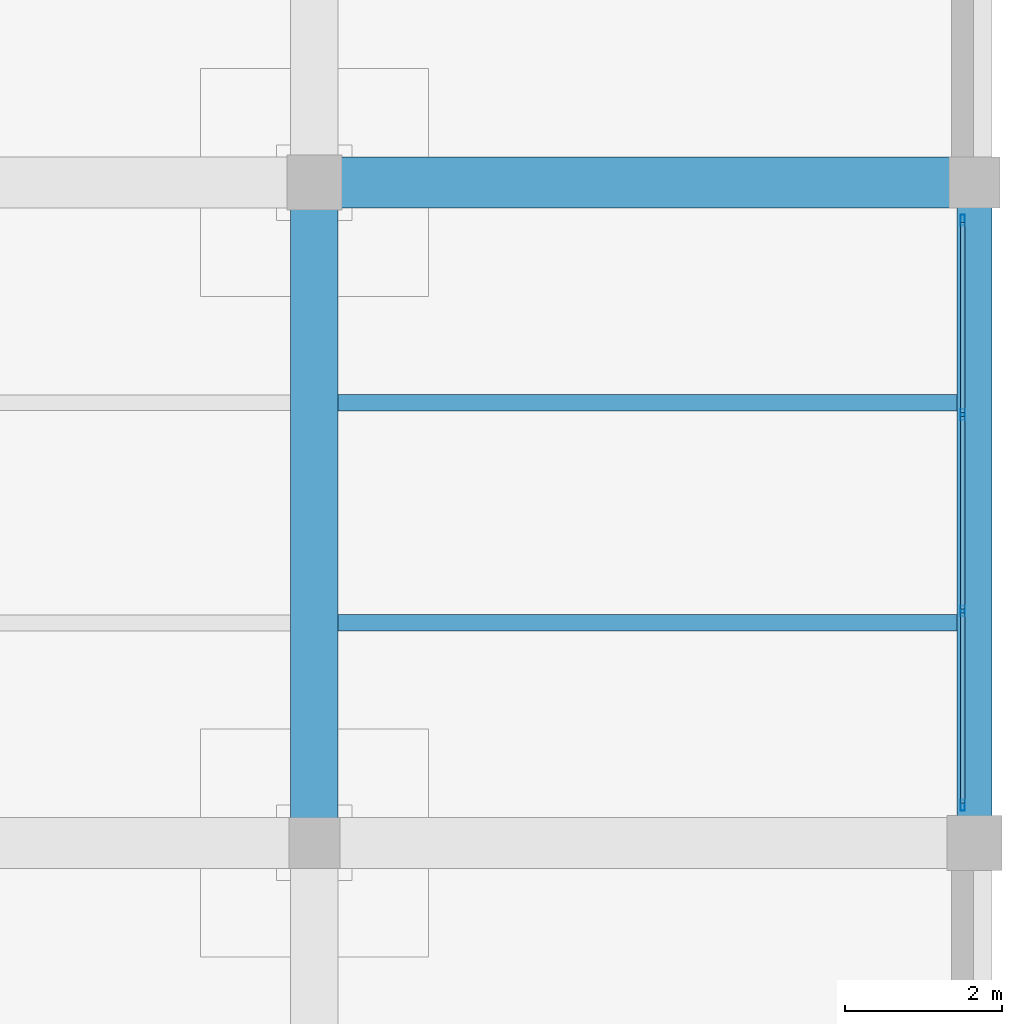
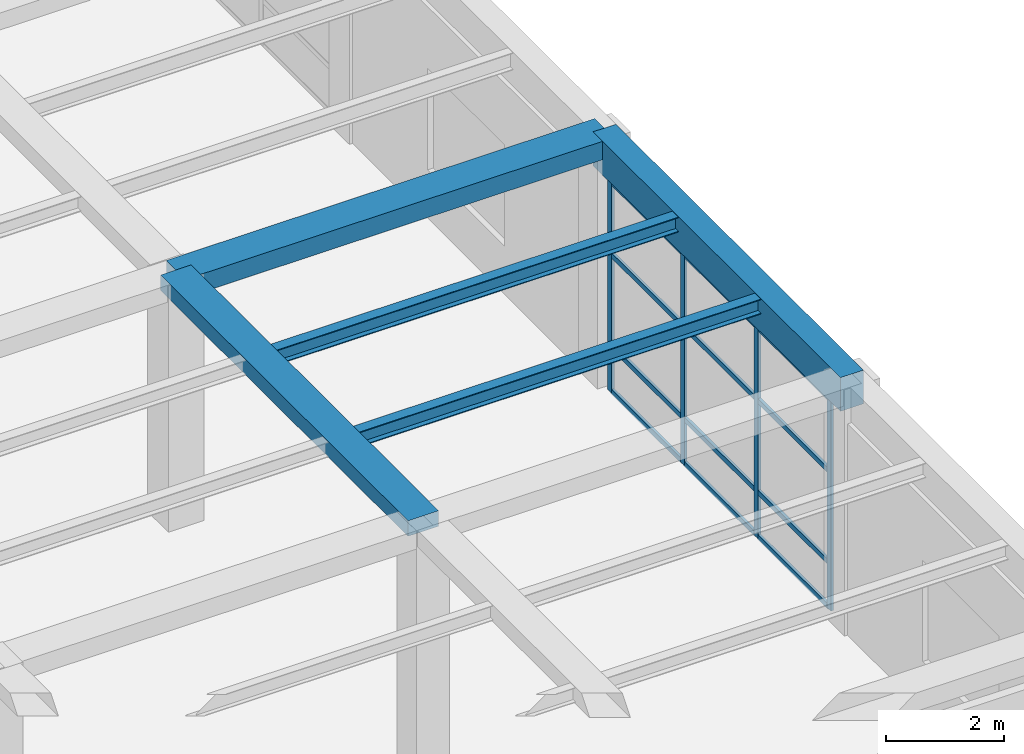
# One storey, part 32 of 65: 16 members, 5 beams, 1 element without a shape of its own.
"""IFC4 building model written with IfcOpenShell, lengths in metres."""

from ifc_helpers import new_model, si_unit, direction, frame, origin, origin_2d, place, context, subcontext, project, spatial, rectangle, hollow_rectangle, i_section, extrude, material, material_profile, profile_set, type_object, element, aggregate, save


model = new_model("IFC4")

# Units and contexts
model_context = context("Model", 3, precision=1e-05, world=origin(), true_north=direction((0.0, 1.0)))
body_context = subcontext(model_context, "Body", "Model", "MODEL_VIEW")
ifc_project = project(units=[si_unit("LENGTHUNIT", "METRE"), si_unit("AREAUNIT", "SQUARE_METRE"), si_unit("VOLUMEUNIT", "CUBIC_METRE"), si_unit("PLANEANGLEUNIT", "RADIAN"), si_unit("MASSUNIT", "GRAM", prefix="KILO")], contexts=[model_context])

# Site, building, storey
site_placement = place(None, origin())
site = spatial("IfcSite", under=ifc_project, at=site_placement, CompositionType="ELEMENT")
building_placement = place(site_placement, origin())
building = spatial("IfcBuilding", under=site, at=building_placement, Name="Almacenes y Pasaje Nevantli", CompositionType="ELEMENT")
storey_placement = place(building_placement, frame((0.0, 0.0, 16.800048828125)))
storey = spatial("IfcBuildingStorey", under=building, at=storey_placement, Name="L04", CompositionType="ELEMENT", Elevation=16.800048828125)

# Beams
ifc_material_1 = material(Name="Concrete C35/45", Category="concrete")
ifc_material_profile_1 = material_profile(ifc_material_1, rectangle(XDim=0.449951171875, YDim=0.699951171875, at=origin_2d()), Name="RC-BM-450x700")
ifc_profile_set_1 = profile_set([ifc_material_profile_1], Name="Concrete C35/45")
beam_type_1 = type_object("IfcBeamType", Name="BM-RC-450x700", PredefinedType="SPANDREL", material=ifc_profile_set_1)
beam_1_placement = place(storey_placement, frame((168.0, 50.39990234375, 4.75), z_axis=(0.0, 1.0, 0.0), x_axis=(-1.0, 0.0, 0.0)))
element("IfcBeam", 1, at=beam_1_placement, inside=storey, type_object=beam_type_1, Name="L04 North-South Reinforced Concrete Beam #3221", PredefinedType="SPANDREL", context=body_context, shape_type="SweptSolid", body=[
    extrude(rectangle(XDim=0.449951171875, YDim=0.699951171875, at=origin_2d()), origin(), (0.0, 0.0, 1.0), 8.400146484375),
])
ifc_material_2 = material(Name="Concrete C35/45", Category="concrete")
ifc_material_profile_2 = material_profile(ifc_material_2, rectangle(XDim=0.60009765625, YDim=0.320068359375, at=origin_2d()), Name="RC-BM-600x320")
ifc_profile_set_2 = profile_set([ifc_material_profile_2], Name="Concrete C35/45")
beam_type_2 = type_object("IfcBeamType", Name="BM-RC-600x320", PredefinedType="BEAM", material=ifc_profile_set_2)
beam_2_placement = place(storey_placement, frame((159.60009765625, 50.39990234375, 4.93994140625), z_axis=(0.0, 1.0, 0.0), x_axis=(-1.0, 0.0, 0.0)))
element("IfcBeam", 2, at=beam_2_placement, inside=storey, type_object=beam_type_2, Name="L04 North-South Reinforced Concrete Beam #3207", PredefinedType="BEAM", context=body_context, shape_type="SweptSolid", body=[
    extrude(rectangle(XDim=0.60009765625, YDim=0.320068359375, at=origin_2d()), origin(), (0.0, 0.0, 1.0), 8.400146484375),
])
ifc_material_3 = material(Name="Concrete C35/45", Category="concrete")
ifc_material_profile_3 = material_profile(ifc_material_3, rectangle(XDim=0.64990234375, YDim=0.3798828125, at=origin_2d()), Name="RC-BM-650x380")
ifc_profile_set_3 = profile_set([ifc_material_profile_3], Name="Concrete C35/45")
beam_type_3 = type_object("IfcBeamType", Name="BM-RC-650x380", PredefinedType="BEAM", material=ifc_profile_set_3)
beam_3_placement = place(storey_placement, frame((159.60009765625, 58.800048828125, 4.909912109375), z_axis=(1.0, 0.0, 0.0), x_axis=(0.0, 1.0, 0.0)))
element("IfcBeam", 3, at=beam_3_placement, inside=storey, type_object=beam_type_3, Name="L04 East-West Reinforced Concrete Beam #2873", PredefinedType="BEAM", context=body_context, shape_type="SweptSolid", body=[
    extrude(rectangle(XDim=0.64990234375, YDim=0.3798828125, at=origin_2d()), origin(), (0.0, 0.0, 1.0), 8.39990234375),
])
ifc_material_4 = material(Name="Steel ASTM A992", Category="steel")
ifc_material_profile_4 = material_profile(ifc_material_4, i_section(OverallWidth=0.205078125, OverallDepth=0.31005859375, WebThickness=0.009521484375, FlangeThickness=0.016357421875, at=origin_2d()), Name="IR 305x74.4")
ifc_profile_set_4 = profile_set([ifc_material_profile_4], Name="Steel ASTM A992")
beam_type_4 = type_object("IfcBeamType", Name="BM-STL-IR-305x74p4", PredefinedType="JOIST", material=ifc_profile_set_4)
for number, where, z_axis, x_axis, name in (
    (4, (159.89990234375, 53.199951171875, 4.93701171875), (1.0, 0.0, 0.0), (0.0, 1.0, 0.0), "L04 Secondary Steel Floor Joist #1337"),
    (5, (159.89990234375, 56.0, 4.93701171875), (1.0, 0.0, 0.0), (0.0, 1.0, 0.0), "L04 Secondary Steel Floor Joist #1338"),
):
    element("IfcBeam", number, at=place(storey_placement, frame(where, z_axis=z_axis, x_axis=x_axis)), inside=storey, type_object=beam_type_4, Name=name, PredefinedType="JOIST", context=body_context, shape_type="SweptSolid", body=[
        extrude(i_section(OverallWidth=0.205078125, OverallDepth=0.31005859375, WebThickness=0.009521484375, FlangeThickness=0.016357421875, at=origin_2d()), origin(), (0.0, 0.0, 1.0), 7.875),
    ])

# Curtain wall, members
ifc_material_5 = material(Name="Thermally Broken Aluminium and Low-E Glass", Category="aluminium")
curtain_wall_type = type_object("IfcCurtainWallType", Name="CW-UNIT-PODIUM", PredefinedType="USERDEFINED", material=ifc_material_5)
curtain_wall_placement = place(storey_placement, origin())
curtain_wall = element("IfcCurtainWall", 6, at=curtain_wall_placement, inside=storey, type_object=curtain_wall_type, Name="L04 East Office Wing Curtain Wall Bay 7", ObjectType="UNITIZED CURTAIN WALL", PredefinedType="USERDEFINED")
ifc_material_6 = material(Name="Thermally Broken Anodized Aluminium", Category="aluminium")
ifc_material_profile_5 = material_profile(ifc_material_6, hollow_rectangle(XDim=0.054931640625, YDim=0.139892578125, WallThickness=0.00341796875, at=origin_2d()), Name="ALU-MUL-55x140")
ifc_profile_set_5 = profile_set([ifc_material_profile_5], Name="Thermally Broken Anodized Aluminium")
member_type_1 = type_object("IfcMemberType", Name="CW-MUL-160", PredefinedType="MULLION", material=ifc_profile_set_5)
member_1_placement = place(storey_placement, frame((167.85009765625, 50.87744140625, 0.0), z_axis=(0.0, 0.0, 1.0), x_axis=(-1.0, 0.0, 0.0)))
member_1 = element("IfcMember", 7, at=member_1_placement, type_object=member_type_1, Name="CW-L04-079 mullion 1", PredefinedType="MULLION", context=body_context, shape_type="SweptSolid", body=[
    extrude(hollow_rectangle(XDim=0.054931640625, YDim=0.139892578125, WallThickness=0.00341796875, at=origin_2d()), origin(), (0.0, 0.0, 1.0), 4.3798828125),
])
member_2_placement = place(storey_placement, frame((167.85009765625, 53.35009765625, 0.0), z_axis=(0.0, 0.0, 1.0), x_axis=(-1.0, 0.0, 0.0)))
member_2 = element("IfcMember", 8, at=member_2_placement, type_object=member_type_1, Name="CW-L04-079 mullion 2", PredefinedType="MULLION", context=body_context, shape_type="SweptSolid", body=[
    extrude(hollow_rectangle(XDim=0.054931640625, YDim=0.139892578125, WallThickness=0.00341796875, at=origin_2d()), origin(), (0.0, 0.0, 1.0), 4.3798828125),
])
member_3_placement = place(storey_placement, frame((167.85009765625, 55.85009765625, 0.0), z_axis=(0.0, 0.0, 1.0), x_axis=(-1.0, 0.0, 0.0)))
member_3 = element("IfcMember", 9, at=member_3_placement, type_object=member_type_1, Name="CW-L04-079 mullion 3", PredefinedType="MULLION", context=body_context, shape_type="SweptSolid", body=[
    extrude(hollow_rectangle(XDim=0.054931640625, YDim=0.139892578125, WallThickness=0.00341796875, at=origin_2d()), origin(), (0.0, 0.0, 1.0), 4.3798828125),
])
member_4_placement = place(storey_placement, frame((167.85009765625, 58.322509765625, 0.0), z_axis=(0.0, 0.0, 1.0), x_axis=(-1.0, 0.0, 0.0)))
member_4 = element("IfcMember", 10, at=member_4_placement, type_object=member_type_1, Name="CW-L04-079 mullion 4", PredefinedType="MULLION", context=body_context, shape_type="SweptSolid", body=[
    extrude(hollow_rectangle(XDim=0.054931640625, YDim=0.139892578125, WallThickness=0.00341796875, at=origin_2d()), origin(), (0.0, 0.0, 1.0), 4.3798828125),
])
ifc_material_7 = material(Name="Thermally Broken Anodized Aluminium", Category="aluminium")
ifc_material_profile_6 = material_profile(ifc_material_7, hollow_rectangle(XDim=0.054931640625, YDim=0.10498046875, WallThickness=0.003173828125, at=origin_2d()), Name="ALU-TRN-55x105")
ifc_profile_set_6 = profile_set([ifc_material_profile_6], Name="Thermally Broken Anodized Aluminium")
member_type_2 = type_object("IfcMemberType", Name="CW-TRN-120", PredefinedType="USERDEFINED", material=ifc_profile_set_6)
member_5_placement = place(storey_placement, frame((167.85009765625, 50.905029296875, 0.02734375), z_axis=(0.0, 1.0, 0.0), x_axis=(-1.0, 0.0, 0.0)))
member_5 = element("IfcMember", 11, at=member_5_placement, type_object=member_type_2, Name="CW-L04-079 transom 1.1", ObjectType="TRANSOM", PredefinedType="USERDEFINED", context=body_context, shape_type="SweptSolid", body=[
    extrude(hollow_rectangle(XDim=0.054931640625, YDim=0.10498046875, WallThickness=0.003173828125, at=origin_2d()), origin(), (0.0, 0.0, 1.0), 2.41748046875),
])
member_6_placement = place(storey_placement, frame((167.85009765625, 50.905029296875, 0.949951171875), z_axis=(0.0, 1.0, 0.0), x_axis=(-1.0, 0.0, 0.0)))
member_6 = element("IfcMember", 12, at=member_6_placement, type_object=member_type_2, Name="CW-L04-079 transom 1.2", ObjectType="TRANSOM", PredefinedType="USERDEFINED", context=body_context, shape_type="SweptSolid", body=[
    extrude(hollow_rectangle(XDim=0.054931640625, YDim=0.10498046875, WallThickness=0.003173828125, at=origin_2d()), origin(), (0.0, 0.0, 1.0), 2.41748046875),
])
member_7_placement = place(storey_placement, frame((167.85009765625, 50.905029296875, 2.849853515625), z_axis=(0.0, 1.0, 0.0), x_axis=(-1.0, 0.0, 0.0)))
member_7 = element("IfcMember", 13, at=member_7_placement, type_object=member_type_2, Name="CW-L04-079 transom 1.3", ObjectType="TRANSOM", PredefinedType="USERDEFINED", context=body_context, shape_type="SweptSolid", body=[
    extrude(hollow_rectangle(XDim=0.054931640625, YDim=0.10498046875, WallThickness=0.003173828125, at=origin_2d()), origin(), (0.0, 0.0, 1.0), 2.41748046875),
])
member_8_placement = place(storey_placement, frame((167.85009765625, 50.905029296875, 4.3525390625), z_axis=(0.0, 1.0, 0.0), x_axis=(-1.0, 0.0, 0.0)))
member_8 = element("IfcMember", 14, at=member_8_placement, type_object=member_type_2, Name="CW-L04-079 transom 1.4", ObjectType="TRANSOM", PredefinedType="USERDEFINED", context=body_context, shape_type="SweptSolid", body=[
    extrude(hollow_rectangle(XDim=0.054931640625, YDim=0.10498046875, WallThickness=0.003173828125, at=origin_2d()), origin(), (0.0, 0.0, 1.0), 2.41748046875),
])
member_9_placement = place(storey_placement, frame((167.85009765625, 53.37744140625, 0.02734375), z_axis=(0.0, 1.0, 0.0), x_axis=(-1.0, 0.0, 0.0)))
member_9 = element("IfcMember", 15, at=member_9_placement, type_object=member_type_2, Name="CW-L04-079 transom 2.1", ObjectType="TRANSOM", PredefinedType="USERDEFINED", context=body_context, shape_type="SweptSolid", body=[
    extrude(hollow_rectangle(XDim=0.054931640625, YDim=0.10498046875, WallThickness=0.003173828125, at=origin_2d()), origin(), (0.0, 0.0, 1.0), 2.445068359375),
])
member_10_placement = place(storey_placement, frame((167.85009765625, 53.37744140625, 0.949951171875), z_axis=(0.0, 1.0, 0.0), x_axis=(-1.0, 0.0, 0.0)))
member_10 = element("IfcMember", 16, at=member_10_placement, type_object=member_type_2, Name="CW-L04-079 transom 2.2", ObjectType="TRANSOM", PredefinedType="USERDEFINED", context=body_context, shape_type="SweptSolid", body=[
    extrude(hollow_rectangle(XDim=0.054931640625, YDim=0.10498046875, WallThickness=0.003173828125, at=origin_2d()), origin(), (0.0, 0.0, 1.0), 2.445068359375),
])
member_11_placement = place(storey_placement, frame((167.85009765625, 53.37744140625, 2.849853515625), z_axis=(0.0, 1.0, 0.0), x_axis=(-1.0, 0.0, 0.0)))
member_11 = element("IfcMember", 17, at=member_11_placement, type_object=member_type_2, Name="CW-L04-079 transom 2.3", ObjectType="TRANSOM", PredefinedType="USERDEFINED", context=body_context, shape_type="SweptSolid", body=[
    extrude(hollow_rectangle(XDim=0.054931640625, YDim=0.10498046875, WallThickness=0.003173828125, at=origin_2d()), origin(), (0.0, 0.0, 1.0), 2.445068359375),
])
member_12_placement = place(storey_placement, frame((167.85009765625, 53.37744140625, 4.3525390625), z_axis=(0.0, 1.0, 0.0), x_axis=(-1.0, 0.0, 0.0)))
member_12 = element("IfcMember", 18, at=member_12_placement, type_object=member_type_2, Name="CW-L04-079 transom 2.4", ObjectType="TRANSOM", PredefinedType="USERDEFINED", context=body_context, shape_type="SweptSolid", body=[
    extrude(hollow_rectangle(XDim=0.054931640625, YDim=0.10498046875, WallThickness=0.003173828125, at=origin_2d()), origin(), (0.0, 0.0, 1.0), 2.445068359375),
])
member_13_placement = place(storey_placement, frame((167.85009765625, 55.87744140625, 0.02734375), z_axis=(0.0, 1.0, 0.0), x_axis=(-1.0, 0.0, 0.0)))
member_13 = element("IfcMember", 19, at=member_13_placement, type_object=member_type_2, Name="CW-L04-079 transom 3.1", ObjectType="TRANSOM", PredefinedType="USERDEFINED", context=body_context, shape_type="SweptSolid", body=[
    extrude(hollow_rectangle(XDim=0.054931640625, YDim=0.10498046875, WallThickness=0.003173828125, at=origin_2d()), origin(), (0.0, 0.0, 1.0), 2.41748046875),
])
member_14_placement = place(storey_placement, frame((167.85009765625, 55.87744140625, 0.949951171875), z_axis=(0.0, 1.0, 0.0), x_axis=(-1.0, 0.0, 0.0)))
member_14 = element("IfcMember", 20, at=member_14_placement, type_object=member_type_2, Name="CW-L04-079 transom 3.2", ObjectType="TRANSOM", PredefinedType="USERDEFINED", context=body_context, shape_type="SweptSolid", body=[
    extrude(hollow_rectangle(XDim=0.054931640625, YDim=0.10498046875, WallThickness=0.003173828125, at=origin_2d()), origin(), (0.0, 0.0, 1.0), 2.41748046875),
])
member_15_placement = place(storey_placement, frame((167.85009765625, 55.87744140625, 2.849853515625), z_axis=(0.0, 1.0, 0.0), x_axis=(-1.0, 0.0, 0.0)))
member_15 = element("IfcMember", 21, at=member_15_placement, type_object=member_type_2, Name="CW-L04-079 transom 3.3", ObjectType="TRANSOM", PredefinedType="USERDEFINED", context=body_context, shape_type="SweptSolid", body=[
    extrude(hollow_rectangle(XDim=0.054931640625, YDim=0.10498046875, WallThickness=0.003173828125, at=origin_2d()), origin(), (0.0, 0.0, 1.0), 2.41748046875),
])
member_16_placement = place(storey_placement, frame((167.85009765625, 55.87744140625, 4.3525390625), z_axis=(0.0, 1.0, 0.0), x_axis=(-1.0, 0.0, 0.0)))
member_16 = element("IfcMember", 22, at=member_16_placement, type_object=member_type_2, Name="CW-L04-079 transom 3.4", ObjectType="TRANSOM", PredefinedType="USERDEFINED", context=body_context, shape_type="SweptSolid", body=[
    extrude(hollow_rectangle(XDim=0.054931640625, YDim=0.10498046875, WallThickness=0.003173828125, at=origin_2d()), origin(), (0.0, 0.0, 1.0), 2.41748046875),
])
aggregate(curtain_wall, [member_1, member_2, member_3, member_4, member_5, member_6, member_7, member_8, member_9, member_10, member_11, member_12, member_13, member_14, member_15, member_16])

save(model, "model.ifc")
